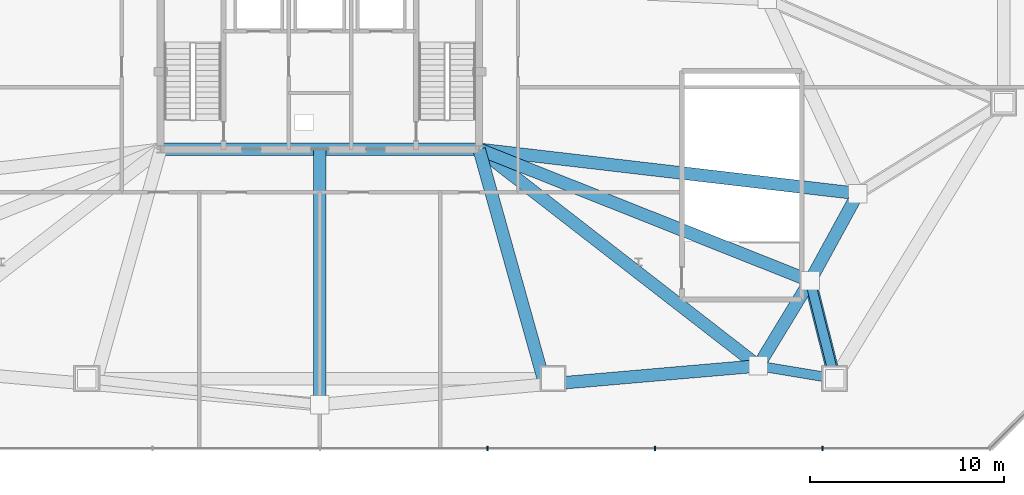
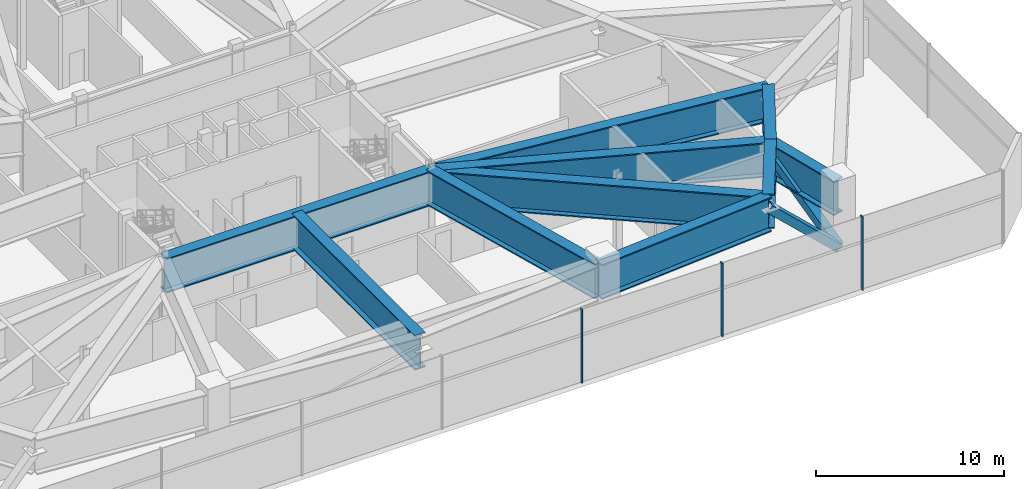
# One storey, part 10 of 29: 10 beams, 5 members, 1 element without a shape of its own.
"""IFC4 building model written with IfcOpenShell, lengths in metres."""

from ifc_helpers import new_model, si_unit, direction, frame, origin, origin_2d, place, context, subcontext, project, spatial, rectangle, hollow_rectangle, i_section, extrude, source, transform, mapped, material, layer, layer_set, material_profile, profile_set, type_object, type_shapes, element, aggregate, save


model = new_model("IFC4")

# Units and contexts
model_context = context("Model", 3, precision=1e-05, world=origin(), true_north=direction((0.0, 1.0)))
body_context = subcontext(model_context, "Body", "Model", "MODEL_VIEW")
ifc_project = project(units=[si_unit("LENGTHUNIT", "METRE"), si_unit("AREAUNIT", "SQUARE_METRE"), si_unit("VOLUMEUNIT", "CUBIC_METRE"), si_unit("PLANEANGLEUNIT", "RADIAN"), si_unit("MASSUNIT", "GRAM", prefix="KILO")], contexts=[model_context])

# Site, building, storey
site_placement = place(None, origin())
site = spatial("IfcSite", under=ifc_project, at=site_placement, CompositionType="ELEMENT")
building_placement = place(site_placement, origin())
building = spatial("IfcBuilding", under=site, at=building_placement, Name="Varakhsha Concourse Tower", CompositionType="ELEMENT")
storey_placement = place(building_placement, frame((0.0, 0.0, 22.0)))
storey = spatial("IfcBuildingStorey", under=building, at=storey_placement, Name="L05", CompositionType="ELEMENT", Elevation=22.0)

# Beams
ifc_material_1 = material(Name="Structural Steel ASTM A992 Grade 50", Category="steel")
ifc_material_profile_1 = material_profile(ifc_material_1, i_section(OverallWidth=0.64990234375, OverallDepth=2.25, WebThickness=0.0400390625, FlangeThickness=0.074951171875, at=origin_2d()), Name="PG 2250x650x75x40")
ifc_profile_set_1 = profile_set([ifc_material_profile_1], Name="Structural Steel ASTM A992 Grade 50")
beam_type = type_object("IfcBeamType", Name="BM-XFER-PG1650", PredefinedType="USERDEFINED", material=ifc_profile_set_1)
beam_1_placement = place(storey_placement, frame((31.800048828125, 16.39990234375, 3.655029296875), z_axis=(1.0, 0.0, 0.0), x_axis=(0.0, 1.0, 0.0)))
element("IfcBeam", 1, at=beam_1_placement, inside=storey, type_object=beam_type, Name="BM-CORE-L05-CS", ObjectType="GIRDER", PredefinedType="USERDEFINED", context=body_context, shape_type="SweptSolid", body=[
    extrude(i_section(OverallWidth=0.64990234375, OverallDepth=2.25, WebThickness=0.0400390625, FlangeThickness=0.074951171875, at=origin_2d()), origin(), (0.0, 0.0, 1.0), 16.39990234375),
])
beam_2_placement = place(storey_placement, frame((40.0, 16.39990234375, 3.655029296875), z_axis=(0.0, -1.0, 0.0), x_axis=(1.0, 0.0, 0.0)))
element("IfcBeam", 2, at=beam_2_placement, inside=storey, type_object=beam_type, Name="L05 Core Radial Transfer Girder 11", ObjectType="GIRDER", PredefinedType="USERDEFINED", context=body_context, shape_type="SweptSolid", body=[
    extrude(i_section(OverallWidth=0.64990234375, OverallDepth=2.25, WebThickness=0.0400390625, FlangeThickness=0.074951171875, at=origin_2d()), origin(), (0.0, 0.0, 1.0), 13.139892578125),
])
beam_3_placement = place(storey_placement, frame((51.5859375, 4.299560546875, 3.655029296875), z_axis=(0.996273577178, 0.086249402411, 0.0), x_axis=(-0.086249402411, 0.996273577178, 0.0)))
element("IfcBeam", 3, at=beam_3_placement, inside=storey, type_object=beam_type, Name="L05 Tower Base Transfer Ring Girder 12", ObjectType="GIRDER", PredefinedType="USERDEFINED", context=body_context, shape_type="SweptSolid", body=[
    extrude(i_section(OverallWidth=0.64990234375, OverallDepth=2.25, WebThickness=0.0400390625, FlangeThickness=0.074951171875, at=origin_2d()), origin(), (0.0, 0.0, 1.0), 11.028076171875),
])
beam_4_placement = place(storey_placement, frame((48.199951171875, 16.39990234375, 3.655029296875), z_axis=(0.269474251615, -0.963007594838, 0.0), x_axis=(0.963007594838, 0.269474251615, 0.0)))
element("IfcBeam", 4, at=beam_4_placement, inside=storey, type_object=beam_type, Name="L05 Core Radial Transfer Girder 12", ObjectType="GIRDER", PredefinedType="USERDEFINED", context=body_context, shape_type="SweptSolid", body=[
    extrude(i_section(OverallWidth=0.64990234375, OverallDepth=2.25, WebThickness=0.0400390625, FlangeThickness=0.074951171875, at=origin_2d()), origin(), (0.0, 0.0, 1.0), 12.565185546875),
])
beam_5_placement = place(storey_placement, frame((62.572998046875, 5.250732421875, 3.655029296875), z_axis=(0.519593292706, 0.854413723072, 0.0), x_axis=(-0.854413723072, 0.519593292706, 0.0)))
element("IfcBeam", 5, at=beam_5_placement, inside=storey, type_object=beam_type, Name="L05 Tower Base Transfer Ring Girder 13", ObjectType="GIRDER", PredefinedType="USERDEFINED", context=body_context, shape_type="SweptSolid", body=[
    extrude(i_section(OverallWidth=0.64990234375, OverallDepth=2.25, WebThickness=0.0400390625, FlangeThickness=0.074951171875, at=origin_2d()), origin(), (0.0, 0.0, 1.0), 5.125244140625),
])
beam_6_placement = place(storey_placement, frame((48.199951171875, 16.39990234375, 3.655029296875), z_axis=(0.790147239575, -0.612917074156, 0.0), x_axis=(0.612917074156, 0.790147239575, 0.0)))
element("IfcBeam", 6, at=beam_6_placement, inside=storey, type_object=beam_type, Name="L05 Core Radial Transfer Girder 13", ObjectType="GIRDER", PredefinedType="USERDEFINED", context=body_context, shape_type="SweptSolid", body=[
    extrude(i_section(OverallWidth=0.64990234375, OverallDepth=2.25, WebThickness=0.0400390625, FlangeThickness=0.074951171875, at=origin_2d()), origin(), (0.0, 0.0, 1.0), 18.1904296875),
])
beam_7_placement = place(storey_placement, frame((65.236083984375, 9.6298828125, 3.655029296875), z_axis=(0.480189853619, 0.877164582323, 0.0), x_axis=(-0.877164582323, 0.480189853619, 0.0)))
element("IfcBeam", 7, at=beam_7_placement, inside=storey, type_object=beam_type, Name="L05 Tower Base Transfer Ring Girder 14", ObjectType="GIRDER", PredefinedType="USERDEFINED", context=body_context, shape_type="SweptSolid", body=[
    extrude(i_section(OverallWidth=0.64990234375, OverallDepth=2.25, WebThickness=0.0400390625, FlangeThickness=0.074951171875, at=origin_2d()), origin(), (0.0, 0.0, 1.0), 5.12548828125),
])
beam_8_placement = place(storey_placement, frame((66.5, 4.60009765625, 3.655029296875), z_axis=(-0.243709564326, 0.969848260428, 0.0), x_axis=(-0.969848260428, -0.243709564326, 0.0)))
element("IfcBeam", 8, at=beam_8_placement, inside=storey, type_object=beam_type, Name="L05 Podium Transfer Girder 14", ObjectType="GIRDER", PredefinedType="USERDEFINED", context=body_context, shape_type="SweptSolid", body=[
    extrude(i_section(OverallWidth=0.64990234375, OverallDepth=2.25, WebThickness=0.0400390625, FlangeThickness=0.074951171875, at=origin_2d()), origin(), (0.0, 0.0, 1.0), 5.18603515625),
])
beam_9_placement = place(storey_placement, frame((48.199951171875, 16.39990234375, 3.655029296875), z_axis=(0.92931014112, -0.369300232348, 0.0), x_axis=(0.369300232348, 0.92931014112, 0.0)))
element("IfcBeam", 9, at=beam_9_placement, inside=storey, type_object=beam_type, Name="L05 Core Radial Transfer Girder 14", ObjectType="GIRDER", PredefinedType="USERDEFINED", context=body_context, shape_type="SweptSolid", body=[
    extrude(i_section(OverallWidth=0.64990234375, OverallDepth=2.25, WebThickness=0.0400390625, FlangeThickness=0.074951171875, at=origin_2d()), origin(), (0.0, 0.0, 1.0), 18.33203125),
])
beam_10_placement = place(storey_placement, frame((48.199951171875, 16.39990234375, 3.655029296875), z_axis=(0.99326616886, -0.115854727125, 0.0), x_axis=(0.115854727125, 0.99326616886, 0.0)))
element("IfcBeam", 10, at=beam_10_placement, inside=storey, type_object=beam_type, Name="L05 Core Radial Transfer Girder 15", ObjectType="GIRDER", PredefinedType="USERDEFINED", context=body_context, shape_type="SweptSolid", body=[
    extrude(i_section(OverallWidth=0.64990234375, OverallDepth=2.25, WebThickness=0.0400390625, FlangeThickness=0.074951171875, at=origin_2d()), origin(), (0.0, 0.0, 1.0), 19.62939453125),
])

# Members
ifc_material_2 = material(Name="Structural Steel ASTM A500 Grade C", Category="steel")
ifc_material_profile_2 = material_profile(ifc_material_2, hollow_rectangle(XDim=0.5, YDim=0.5, WallThickness=0.02001953125, at=origin_2d()), Name="HSS 500x500x20")
ifc_profile_set_2 = profile_set([ifc_material_profile_2], Name="Structural Steel ASTM A500 Grade C")
member_type_1 = type_object("IfcMemberType", Name="MB-XFER-HSS500", PredefinedType="BRACE", material=ifc_profile_set_2)
shared_shape_1 = source(origin(), body_context, "Body", "SweptSolid", [
    extrude(hollow_rectangle(XDim=0.5, YDim=0.5, WallThickness=0.02001953125, at=origin_2d()), origin(), (0.0, 0.0, 1.0), 6.287841796875),
])
member_1_placement = place(storey_placement, frame((66.5, 4.60009765625, 0.39990234375), z_axis=(-0.201013217124, 0.79993708696, 0.565415195628), x_axis=(-0.969848260428, -0.243709564326, 0.0)))
element("IfcMember", 11, at=member_1_placement, inside=storey, type_object=member_type_1, Name="L05 Transfer Truss Diagonal 14", PredefinedType="BRACE", context=body_context, shape_type="MappedRepresentation", body=[
    mapped(shared_shape_1, transform((0.0, 0.0, 0.0), scale=1.0)),
])
shared_shape_2 = source(origin(), body_context, "Body", "SweptSolid", [
    extrude(hollow_rectangle(XDim=0.5, YDim=0.5, WallThickness=0.02001953125, at=origin_2d()), origin(), (0.0, 0.0, 1.0), 5.3369140625),
])
type_shapes(member_type_1, [shared_shape_1, shared_shape_2])
member_2_placement = place(storey_placement, frame((66.5, 4.60009765625, 0.39990234375), z_axis=(-0.735802145326, 0.121909401137, 0.666133095445), x_axis=(-0.163454042914, -0.986550949447, 0.0)))
element("IfcMember", 12, at=member_2_placement, inside=storey, type_object=member_type_1, Name="L05 Transfer Truss Diagonal 13", PredefinedType="BRACE", context=body_context, shape_type="MappedRepresentation", body=[
    mapped(shared_shape_2, transform((0.0, 0.0, 0.0), scale=1.0)),
])

# Curtain wall, members
ifc_material_3 = material(Name="Anodised Bronze Architectural Aluminium AA 6063-T6", Category="aluminium")
ifc_layer = layer(ifc_material_3, 0.260009765625, Name="CW-SYS-06")
ifc_layer_set = layer_set([ifc_layer], Name="Anodised Bronze Architectural Aluminium AA 6063-T6")
curtain_wall_type = type_object("IfcCurtainWallType", Name="CW-SYS-06", PredefinedType="NOTDEFINED", material=ifc_layer_set)
curtain_wall_placement = place(storey_placement, origin())
curtain_wall = element("IfcCurtainWall", 13, at=curtain_wall_placement, inside=storey, type_object=curtain_wall_type, Name="L05 Podium Curtain Wall 01", PredefinedType="NOTDEFINED")
ifc_material_profile_3 = material_profile(ifc_material_3, rectangle(XDim=0.074951171875, YDim=0.219970703125, at=origin_2d()), Name="CWM-220X75")
ifc_profile_set_3 = profile_set([ifc_material_profile_3], Name="Anodised Bronze Architectural Aluminium AA 6063-T6")
member_type_2 = type_object("IfcMemberType", Name="CWM-220X75", PredefinedType="MULLION", material=ifc_profile_set_3)
shared_shape_3 = source(origin(), body_context, "Body", "SweptSolid", [
    extrude(rectangle(XDim=0.074951171875, YDim=0.219970703125, at=origin_2d()), origin(), (0.0, 0.0, 1.0), 4.780029296875),
])
type_shapes(member_type_2, [shared_shape_3])
member_3_placement = place(storey_placement, frame((48.625, 1.0, 0.0), z_axis=(0.0, 0.0, 1.0), x_axis=(1.0, 0.0, 0.0)))
member_3 = element("IfcMember", 14, at=member_3_placement, type_object=member_type_2, Name="CW-POD-L05-01 Mullion 05", PredefinedType="MULLION", context=body_context, shape_type="MappedRepresentation", body=[
    mapped(shared_shape_3, transform((0.0, 0.0, 0.0), scale=1.0)),
])
member_4_placement = place(storey_placement, frame((57.25, 1.0, 0.0), z_axis=(0.0, 0.0, 1.0), x_axis=(1.0, 0.0, 0.0)))
member_4 = element("IfcMember", 15, at=member_4_placement, type_object=member_type_2, Name="CW-POD-L05-01 Mullion 06", PredefinedType="MULLION", context=body_context, shape_type="MappedRepresentation", body=[
    mapped(shared_shape_3, transform((0.0, 0.0, 0.0), scale=1.0)),
])
member_5_placement = place(storey_placement, frame((65.875, 1.0, 0.0), z_axis=(0.0, 0.0, 1.0), x_axis=(1.0, 0.0, 0.0)))
member_5 = element("IfcMember", 16, at=member_5_placement, type_object=member_type_2, Name="CW-POD-L05-01 Mullion 07", PredefinedType="MULLION", context=body_context, shape_type="MappedRepresentation", body=[
    mapped(shared_shape_3, transform((0.0, 0.0, 0.0), scale=1.0)),
])
aggregate(curtain_wall, [member_3, member_4, member_5])

save(model, "model.ifc")
